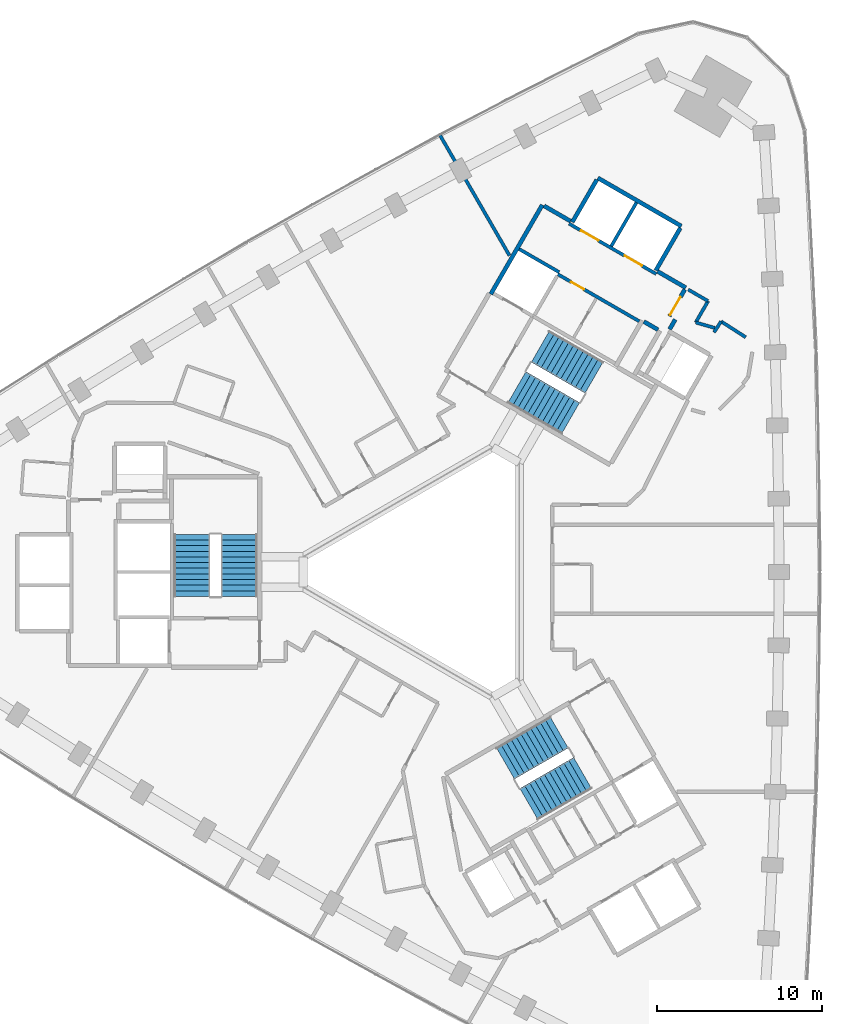
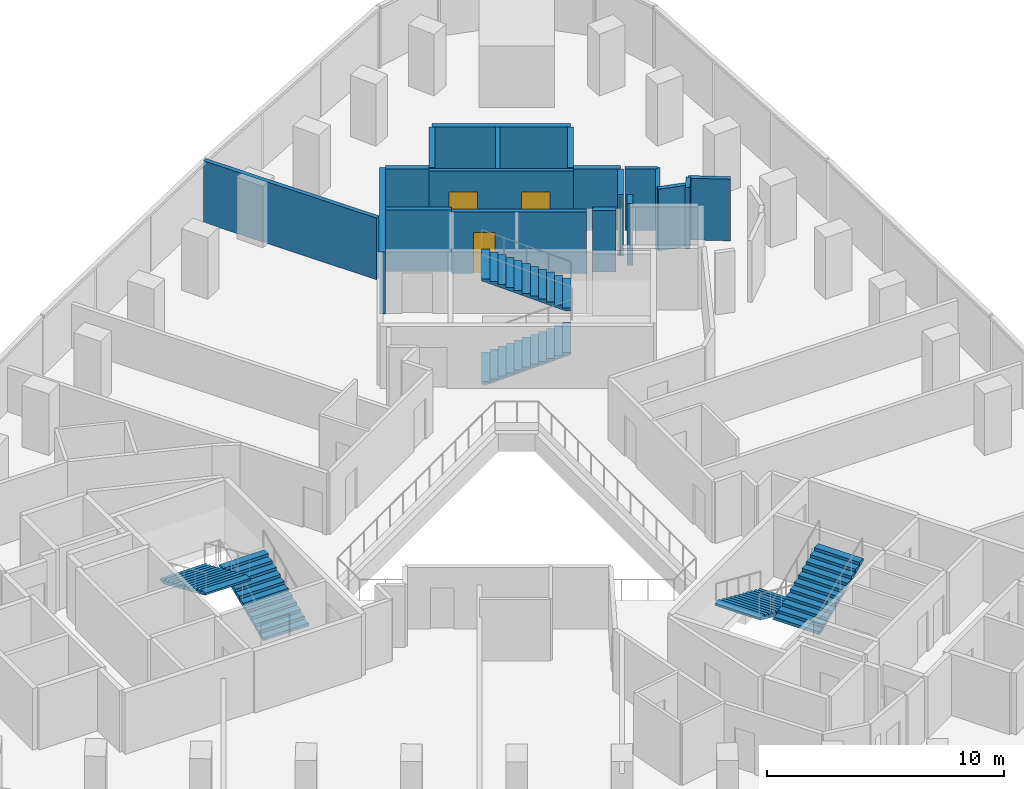
# One storey, part 11 of 12: 19 walls, 6 stair flights, 4 doors, 4 openings, 3 elements without a shape of their own.
"""IFC4 building model written with IfcOpenShell, lengths in metres."""

from ifc_helpers import new_model, si_unit, direction, frame, frame_2d, origin, place, context, subcontext, project, spatial, polyline, rectangle, outline, extrude, material, layer, layer_set, type_object, element, fill, aggregate, save


model = new_model("IFC4")

# Units and contexts
model_context = context("Model", 3, precision=1e-05, world=origin(), true_north=direction((0.0, 1.0)))
body_context = subcontext(model_context, "Body", "Model", "MODEL_VIEW")
ifc_project = project(units=[si_unit("LENGTHUNIT", "METRE"), si_unit("AREAUNIT", "SQUARE_METRE"), si_unit("VOLUMEUNIT", "CUBIC_METRE"), si_unit("PLANEANGLEUNIT", "RADIAN"), si_unit("MASSUNIT", "GRAM", prefix="KILO")], contexts=[model_context])

# Site, building, storey
site_placement = place(None, origin())
site = spatial("IfcSite", under=ifc_project, at=site_placement, CompositionType="ELEMENT")
building_placement = place(site_placement, origin())
building = spatial("IfcBuilding", under=site, at=building_placement, Name="Tamra Quay Hotel Tower", CompositionType="ELEMENT")
storey_placement = place(building_placement, frame((0.0, 0.0, 93.800048828125)))
storey = spatial("IfcBuildingStorey", under=building, at=storey_placement, Name="L22", CompositionType="ELEMENT", Elevation=93.800048828125)

# Wall, openings, doors
ifc_material_1 = material(Name="Concrete M70", Category="concrete")
ifc_layer_1 = layer(ifc_material_1, 0.199951171875)
ifc_layer_set_1 = layer_set([ifc_layer_1], Name="Concrete M70 core wall 200")
wall_type_1 = type_object("IfcWallType", Name="Concrete M70 core wall 200", PredefinedType="SHEAR", material=ifc_layer_set_1)
wall_1_placement = place(storey_placement, frame((13.209716796875, 18.07958984375, 0.0), z_axis=(0.0, 0.0, 1.0), x_axis=(-0.866030299012, 0.499991521122, 0.0)))
wall_1 = element("IfcWall", 1, at=wall_1_placement, inside=storey, type_object=wall_type_1, Name="CW2", PredefinedType="SHEAR", context=body_context, shape_type="SweptSolid", body=[
    extrude(rectangle(XDim=6.10009765625, YDim=0.199951171875, at=frame_2d((3.050048828125, 0.0))), origin(), (0.0, 0.0, 1.0), 3.175048828125),
])
opening_1_placement = place(wall_1_placement, frame((1.0, 0.0, 0.0)))
opening_1 = element("IfcOpeningElement", 2, at=opening_1_placement, cuts=wall_1, Name="Opening LD", PredefinedType="OPENING", context=body_context, shape_type="SweptSolid", body=[
    extrude(rectangle(XDim=1.199951171875, YDim=2.10009765625, at=frame_2d((0.60009765625, 1.050048828125))), frame((0.0, 0.10986328125, 0.0), z_axis=(0.0, -1.0, 0.0), x_axis=(1.0, 0.0, 0.0)), (0.0, 0.0, 1.0), 0.219970703125),
])
opening_2_placement = place(wall_1_placement, frame((4.05029296875, 0.0, 0.0)))
opening_2 = element("IfcOpeningElement", 3, at=opening_2_placement, cuts=wall_1, Name="Opening LD", PredefinedType="OPENING", context=body_context, shape_type="SweptSolid", body=[
    extrude(rectangle(XDim=1.199951171875, YDim=2.10009765625, at=frame_2d((0.60009765625, 1.050048828125))), frame((0.0, 0.10986328125, 0.0), z_axis=(0.0, -1.0, 0.0), x_axis=(1.0, 0.0, 0.0)), (0.0, 0.0, 1.0), 0.219970703125),
])
ifc_material_2 = material(Name="Landing door LD 1200 double door sliding")
door_type_1 = type_object("IfcDoorType", Name="Landing door LD 1200 double door sliding", OperationType="DOUBLE_DOOR_SLIDING", PredefinedType="DOOR", material=ifc_material_2)
door_1_placement = place(opening_1_placement, origin())
door_1 = element("IfcDoor", 4, at=door_1_placement, inside=storey, type_object=door_type_1, Name="LD", OperationType="DOUBLE_DOOR_SLIDING", OverallHeight=2.10009765625, OverallWidth=1.199951171875, PredefinedType="DOOR", context=body_context, shape_type="SweptSolid", body=[
    extrude(rectangle(XDim=1.199951171875, YDim=2.10009765625, at=frame_2d((0.60009765625, 1.050048828125))), frame((0.0, 0.02490234375, 0.0), z_axis=(0.0, -1.0, 0.0), x_axis=(1.0, 0.0, 0.0)), (0.0, 0.0, 1.0), 0.050048828125),
])
fill(opening_1, door_1)
door_2_placement = place(opening_2_placement, origin())
door_2 = element("IfcDoor", 5, at=door_2_placement, inside=storey, type_object=door_type_1, Name="LD", OperationType="DOUBLE_DOOR_SLIDING", OverallHeight=2.10009765625, OverallWidth=1.199951171875, PredefinedType="DOOR", context=body_context, shape_type="SweptSolid", body=[
    extrude(rectangle(XDim=1.199951171875, YDim=2.10009765625, at=frame_2d((0.60009765625, 1.050048828125))), frame((0.0, 0.02490234375, 0.0), z_axis=(0.0, -1.0, 0.0), x_axis=(1.0, 0.0, 0.0)), (0.0, 0.0, 1.0), 0.050048828125),
])
fill(opening_2, door_2)

# Wall, opening, door
wall_2_placement = place(storey_placement, frame((12.18505859375, 15.20703125, 0.0), z_axis=(0.0, 0.0, 1.0), x_axis=(-0.866020080793, 0.500009219579, 0.0)))
wall_2 = element("IfcWall", 6, at=wall_2_placement, inside=storey, type_object=wall_type_1, Name="CW2", PredefinedType="SHEAR", context=body_context, shape_type="SweptSolid", body=[
    extrude(rectangle(XDim=5.69921875, YDim=0.199951171875, at=frame_2d((2.849609375, 0.0))), origin(), (0.0, 0.0, 1.0), 3.175048828125),
])
opening_3_placement = place(wall_2_placement, frame((3.8740234375, 0.0, 0.0)))
opening_3 = element("IfcOpeningElement", 7, at=opening_3_placement, cuts=wall_2, Name="Opening D2", PredefinedType="OPENING", context=body_context, shape_type="SweptSolid", body=[
    extrude(rectangle(XDim=0.89990234375, YDim=2.10009765625, at=frame_2d((0.449951171875, 1.050048828125))), frame((0.0, 0.10986328125, 0.0), z_axis=(0.0, -1.0, 0.0), x_axis=(1.0, 0.0, 0.0)), (0.0, 0.0, 1.0), 0.219970703125),
])
ifc_material_3 = material(Name="Core door D2 900x2100 RH")
door_type_2 = type_object("IfcDoorType", Name="Core door D2 900x2100 RH", OperationType="NOTDEFINED", PredefinedType="DOOR", material=ifc_material_3)
door_3_placement = place(opening_3_placement, origin())
door_3 = element("IfcDoor", 8, at=door_3_placement, inside=storey, type_object=door_type_2, Name="D2", OperationType="SINGLE_SWING_RIGHT", OverallHeight=2.10009765625, OverallWidth=0.89990234375, PredefinedType="DOOR", context=body_context, shape_type="SweptSolid", body=[
    extrude(rectangle(XDim=0.89990234375, YDim=2.10009765625, at=frame_2d((0.449951171875, 1.050048828125))), frame((0.0, 0.02490234375, 0.0), z_axis=(0.0, -1.0, 0.0), x_axis=(1.0, 0.0, 0.0)), (0.0, 0.0, 1.0), 0.050048828125),
])
fill(opening_3, door_3)

# Walls
wall_3_placement = place(storey_placement, frame((10.48876953125, 19.76708984375, 0.0), z_axis=(0.0, 0.0, 1.0), x_axis=(0.499946628782, 0.866056215479, 0.0)))
element("IfcWall", 9, at=wall_3_placement, inside=storey, type_object=wall_type_1, Name="CW2", PredefinedType="SHEAR", context=body_context, shape_type="SweptSolid", body=[
    extrude(rectangle(XDim=3.048095703125, YDim=0.199951171875, at=frame_2d((1.52392578125, 0.0))), origin(), (0.0, 0.0, 1.0), 3.175048828125),
])
wall_4_placement = place(storey_placement, frame((4.900634765625, 19.5859375, 0.0), z_axis=(0.0, 0.0, 1.0), x_axis=(0.866022890907, -0.500004352405, 0.0)))
element("IfcWall", 10, at=wall_4_placement, inside=storey, type_object=wall_type_1, Name="CW2", PredefinedType="SHEAR", context=body_context, shape_type="SweptSolid", body=[
    extrude(rectangle(XDim=2.798828125, YDim=0.199951171875, at=frame_2d((1.3994140625, 0.0))), origin(), (0.0, 0.0, 1.0), 3.175048828125),
])
ifc_layer_2 = layer(ifc_material_1, 0.25)
ifc_layer_set_2 = layer_set([ifc_layer_2], Name="Concrete M70 core wall 250")
wall_type_2 = type_object("IfcWallType", Name="Concrete M70 core wall 250", PredefinedType="SHEAR", material=ifc_layer_set_2)
wall_5_placement = place(storey_placement, frame((3.178955078125, 16.856201171875, 0.0), z_axis=(0.0, 0.0, 1.0), x_axis=(0.500004234368, 0.866022959057, 0.0)))
element("IfcWall", 11, at=wall_5_placement, inside=storey, type_object=wall_type_2, Name="CW1", PredefinedType="SHEAR", context=body_context, shape_type="SweptSolid", body=[
    extrude(rectangle(XDim=6.25, YDim=0.25, at=frame_2d((3.125, 0.0))), origin(), (0.0, 0.0, 1.0), 3.175048828125),
])
wall_6_placement = place(storey_placement, frame((9.672607421875, 23.9033203125, 0.0), z_axis=(0.0, 0.0, 1.0), x_axis=(0.86603616409, -0.499981362141, 0.0)))
element("IfcWall", 12, at=wall_6_placement, inside=storey, type_object=wall_type_2, Name="CW1", PredefinedType="SHEAR", context=body_context, shape_type="SweptSolid", body=[
    extrude(rectangle(XDim=5.849853515625, YDim=0.25, at=frame_2d((2.9248046875, 0.0))), origin(), (0.0, 0.0, 1.0), 3.175048828125),
])
for number, where, z_axis, x_axis, name in (
    (13, (8.12255859375, 21.21875, 0.0), (0.0, 0.0, 1.0), (0.499987686533, 0.866032512851, 0.0), "CW1"),
    (14, (14.67626953125, 20.869873046875, 0.0), (0.0, 0.0, 1.0), (-0.499987686533, -0.866032512851, 0.0), "CW1"),
):
    element("IfcWall", number, at=place(storey_placement, frame(where, z_axis=z_axis, x_axis=x_axis)), inside=storey, type_object=wall_type_2, Name=name, PredefinedType="SHEAR", context=body_context, shape_type="SweptSolid", body=[
        extrude(rectangle(XDim=2.974609375, YDim=0.25, at=frame_2d((1.4873046875, 0.0))), origin(), (0.0, 0.0, 1.0), 3.175048828125),
    ])
wall_7_placement = place(storey_placement, frame((13.29736328125, 18.23095703125, 0.0), z_axis=(0.0, 0.0, 1.0), x_axis=(0.866043531843, -0.499968599967, 0.0)))
element("IfcWall", 15, at=wall_7_placement, inside=storey, type_object=wall_type_2, Name="CW1", PredefinedType="SHEAR", context=body_context, shape_type="SweptSolid", body=[
    extrude(rectangle(XDim=1.974853515625, YDim=0.25, at=frame_2d((0.9873046875, 0.0))), origin(), (0.0, 0.0, 1.0), 3.175048828125),
])
wall_8_placement = place(storey_placement, frame((6.41259765625, 22.2060546875, 0.0), z_axis=(0.0, 0.0, 1.0), x_axis=(0.866016279763, -0.500015802937, 0.0)))
element("IfcWall", 16, at=wall_8_placement, inside=storey, type_object=wall_type_2, Name="CW1", PredefinedType="SHEAR", context=body_context, shape_type="SweptSolid", body=[
    extrude(rectangle(XDim=1.84912109375, YDim=0.25, at=frame_2d((0.924560546875, 0.0))), origin(), (0.0, 0.0, 1.0), 3.175048828125),
])

# Wall, opening, door
wall_9_placement = place(storey_placement, frame((14.94482421875, 17.13525390625, 0.0), z_axis=(0.0, 0.0, 1.0), x_axis=(-0.499983108224, -0.866035156036, 0.0)))
wall_9 = element("IfcWall", 17, at=wall_9_placement, inside=storey, type_object=wall_type_2, Name="CW1", PredefinedType="SHEAR", context=body_context, shape_type="SweptSolid", body=[
    extrude(rectangle(XDim=1.86474609375, YDim=0.25, at=frame_2d((0.932373046875, 0.0))), origin(), (0.0, 0.0, 1.0), 3.175048828125),
])
opening_4_placement = place(wall_9_placement, frame((0.53466796875, 0.0, 0.0)))
opening_4 = element("IfcOpeningElement", 18, at=opening_4_placement, cuts=wall_9, Name="Opening FD3", PredefinedType="OPENING", context=body_context, shape_type="SweptSolid", body=[
    extrude(rectangle(XDim=1.25, YDim=2.10009765625, at=frame_2d((0.625, 1.050048828125))), frame((0.0, 0.135009765625, 0.0), z_axis=(0.0, -1.0, 0.0), x_axis=(1.0, 0.0, 0.0)), (0.0, 0.0, 1.0), 0.27001953125),
])
ifc_material_4 = material(Name="Core door FD3 1250x2100 LH")
door_type_3 = type_object("IfcDoorType", Name="Core door FD3 1250x2100 LH", OperationType="NOTDEFINED", PredefinedType="DOOR", material=ifc_material_4)
door_4_placement = place(opening_4_placement, origin())
door_4 = element("IfcDoor", 19, at=door_4_placement, inside=storey, type_object=door_type_3, Name="FD3", OperationType="SINGLE_SWING_LEFT", OverallHeight=2.10009765625, OverallWidth=1.25, PredefinedType="DOOR", context=body_context, shape_type="SweptSolid", body=[
    extrude(rectangle(XDim=1.25, YDim=2.10009765625, at=frame_2d((0.625, 1.050048828125))), frame((0.0, 0.02490234375, 0.0), z_axis=(0.0, -1.0, 0.0), x_axis=(1.0, 0.0, 0.0)), (0.0, 0.0, 1.0), 0.050048828125),
])
fill(opening_4, door_4)

# Walls
wall_10_placement = place(storey_placement, frame((13.322021484375, 14.695068359375, 0.0), z_axis=(0.0, 0.0, 1.0), x_axis=(-0.866017078145, 0.500014420154, 0.0)))
element("IfcWall", 20, at=wall_10_placement, inside=storey, type_object=wall_type_2, Name="CW1", PredefinedType="SHEAR", context=body_context, shape_type="SweptSolid", body=[
    extrude(rectangle(XDim=0.9892578125, YDim=0.25, at=frame_2d((0.49462890625, 0.0))), origin(), (0.0, 0.0, 1.0), 3.175048828125),
])
wall_11_placement = place(storey_placement, frame((14.36767578125, 15.3154296875, 0.0), z_axis=(0.0, 0.0, 1.0), x_axis=(-0.499897359611, -0.866084655132, 0.0)))
element("IfcWall", 21, at=wall_11_placement, inside=storey, type_object=wall_type_2, Name="CW1", PredefinedType="SHEAR", context=body_context, shape_type="SweptSolid", body=[
    extrude(rectangle(XDim=0.684814453125, YDim=0.25, at=frame_2d((0.34228515625, 0.0))), origin(), (0.0, 0.0, 1.0), 3.175048828125),
])
ifc_material_5 = material(Name="Partition corridor wall")
ifc_layer_3 = layer(ifc_material_5, 0.199951171875)
ifc_layer_set_3 = layer_set([ifc_layer_3], Name="Partition corridor wall")
wall_type_3 = type_object("IfcWallType", Name="Partition corridor wall", PredefinedType="PARTITIONING", material=ifc_layer_set_3)
wall_12_placement = place(storey_placement, frame((15.155517578125, 17.130126953125, 0.0), z_axis=(0.0, 0.0, 1.0), x_axis=(0.865755062894, -0.500467952093, 0.0)))
element("IfcWall", 22, at=wall_12_placement, inside=storey, type_object=wall_type_3, Name="W-C", PredefinedType="PARTITIONING", context=body_context, shape_type="SweptSolid", body=[
    extrude(rectangle(XDim=1.388916015625, YDim=0.199951171875, at=frame_2d((0.6943359375, 0.0))), origin(), (0.0, 0.0, 1.0), 3.175048828125),
])
wall_13_placement = place(storey_placement, frame((15.60888671875, 15.135986328125, 0.0), z_axis=(0.0, 0.0, 1.0), x_axis=(0.499501622561, 0.866312950993, 0.0)))
element("IfcWall", 23, at=wall_13_placement, inside=storey, type_object=wall_type_3, Name="W-C", PredefinedType="PARTITIONING", context=body_context, shape_type="SweptSolid", body=[
    extrude(rectangle(XDim=1.49951171875, YDim=0.199951171875, at=frame_2d((0.749755859375, 0.0))), origin(), (0.0, 0.0, 1.0), 3.175048828125),
])
wall_14_placement = place(storey_placement, frame((15.60888671875, 15.135986328125, 0.0), z_axis=(0.0, 0.0, 1.0), x_axis=(0.961600740063, -0.27445221207, 0.0)))
element("IfcWall", 24, at=wall_14_placement, inside=storey, type_object=wall_type_3, Name="W-C", PredefinedType="PARTITIONING", context=body_context, shape_type="SweptSolid", body=[
    extrude(rectangle(XDim=1.19921875, YDim=0.199951171875, at=frame_2d((0.599609375, 0.0))), origin(), (0.0, 0.0, 1.0), 3.175048828125),
])
wall_15_placement = place(storey_placement, frame((16.718017578125, 14.534912109375, 0.0), z_axis=(0.0, 0.0, 1.0), x_axis=(0.541473887989, 0.840717567692, 0.0)))
element("IfcWall", 25, at=wall_15_placement, inside=storey, type_object=wall_type_3, Name="W-C", PredefinedType="PARTITIONING", context=body_context, shape_type="SweptSolid", body=[
    extrude(rectangle(XDim=0.792236328125, YDim=0.199951171875, at=frame_2d((0.39599609375, 0.0))), origin(), (0.0, 0.0, 1.0), 3.175048828125),
])
wall_16_placement = place(storey_placement, frame((17.14697265625, 15.200927734375, 0.0), z_axis=(0.0, 0.0, 1.0), x_axis=(0.840821179535, -0.541312981596, 0.0)))
element("IfcWall", 26, at=wall_16_placement, inside=storey, type_object=wall_type_3, Name="W-C", PredefinedType="PARTITIONING", context=body_context, shape_type="SweptSolid", body=[
    extrude(rectangle(XDim=1.777099609375, YDim=0.199951171875, at=frame_2d((0.888671875, 0.0))), origin(), (0.0, 0.0, 1.0), 3.175048828125),
])
ifc_material_6 = material(Name="Partition party wall")
ifc_layer_4 = layer(ifc_material_6, 0.199951171875)
ifc_layer_set_4 = layer_set([ifc_layer_4], Name="Partition party wall")
wall_type_4 = type_object("IfcWallType", Name="Partition party wall", PredefinedType="PARTITIONING", material=ifc_layer_set_4)
wall_17_placement = place(storey_placement, frame((0.089599609375, 26.508544921875, 0.0), z_axis=(0.0, 0.0, 1.0), x_axis=(0.5000084477, -0.866020526448, 0.0)))
element("IfcWall", 27, at=wall_17_placement, inside=storey, type_object=wall_type_4, Name="W-P", PredefinedType="PARTITIONING", context=body_context, shape_type="SweptSolid", body=[
    extrude(rectangle(XDim=8.448486328125, YDim=0.199951171875, at=frame_2d((4.22412109375, 0.0))), origin(), (0.0, 0.0, 1.0), 3.175048828125),
])

# Stair, stair flights
ifc_material_7 = material(Name="Exit stair 2200 24 risers 150.0 going 342")
stair_type = type_object("IfcStairType", Name="Exit stair 2200 24 risers 150.0 going 342", PredefinedType="HALF_TURN_STAIR", material=ifc_material_7)
stair_1_placement = place(storey_placement, origin())
stair_1 = element("IfcStair", 28, at=stair_1_placement, inside=storey, type_object=stair_type, Name="L22 Exit stair ST3", PredefinedType="HALF_TURN_STAIR")
ifc_material_8 = material(Name="Exit stair flight 2200 12 risers 150.0")
stair_flight_type = type_object("IfcStairFlightType", Name="Exit stair flight 2200 12 risers 150.0", PredefinedType="STRAIGHT", material=ifc_material_8)
stair_flight_1_placement = place(storey_placement, frame((-12.082275390625, -1.47998046875, 0.0), z_axis=(0.0, 0.0, 1.0), x_axis=(0.0, 1.0, 0.0)))
stair_flight_1 = element("IfcStairFlight", 29, at=stair_flight_1_placement, type_object=stair_flight_type, Name="ST3 flight 1", NumberOfRisers=12, NumberOfTreads=11, PredefinedType="STRAIGHT", RiserHeight=0.15, TreadLength=0.342, context=body_context, shape_type="SweptSolid", body=[
    extrude(outline(polyline([(0.0, 0.0), (0.0, 0.14990234375), (0.342041015625, 0.14990234375), (0.342041015625, 0.300048828125), (0.68408203125, 0.300048828125), (0.68408203125, 0.449951171875), (1.02587890625, 0.449951171875), (1.02587890625, 0.60009765625), (1.367919921875, 0.60009765625), (1.367919921875, 0.75), (1.7099609375, 0.75), (1.7099609375, 0.89990234375), (2.052001953125, 0.89990234375), (2.052001953125, 1.050048828125), (2.39404296875, 1.050048828125), (2.39404296875, 1.199951171875), (2.736083984375, 1.199951171875), (2.736083984375, 1.35009765625), (3.077880859375, 1.35009765625), (3.077880859375, 1.5), (3.419921875, 1.5), (3.419921875, 1.64990234375), (3.761962890625, 1.64990234375), (3.761962890625, 1.800048828125), (3.761962890625, 1.540771484375), (0.249267578125, 0.0), (0.0, 0.0)])), frame((0.0, 1.10009765625, 0.0), z_axis=(0.0, -1.0, 0.0), x_axis=(1.0, 0.0, 0.0)), (0.0, 0.0, 1.0), 2.199951171875),
])
stair_flight_2_placement = place(storey_placement, frame((-14.94140625, 2.281982421875, 1.800048828125), z_axis=(0.0, 0.0, 1.0), x_axis=(0.0, -1.0, 0.0)))
stair_flight_2 = element("IfcStairFlight", 30, at=stair_flight_2_placement, type_object=stair_flight_type, Name="ST3 flight 2", NumberOfRisers=12, NumberOfTreads=11, PredefinedType="STRAIGHT", RiserHeight=0.15, TreadLength=0.342, context=body_context, shape_type="SweptSolid", body=[
    extrude(outline(polyline([(0.0, 0.0), (0.0, 0.14990234375), (0.342041015625, 0.14990234375), (0.342041015625, 0.300048828125), (0.68408203125, 0.300048828125), (0.68408203125, 0.449951171875), (1.02587890625, 0.449951171875), (1.02587890625, 0.60009765625), (1.367919921875, 0.60009765625), (1.367919921875, 0.75), (1.7099609375, 0.75), (1.7099609375, 0.89990234375), (2.052001953125, 0.89990234375), (2.052001953125, 1.050048828125), (2.39404296875, 1.050048828125), (2.39404296875, 1.199951171875), (2.736083984375, 1.199951171875), (2.736083984375, 1.35009765625), (3.077880859375, 1.35009765625), (3.077880859375, 1.5), (3.419921875, 1.5), (3.419921875, 1.64990234375), (3.761962890625, 1.64990234375), (3.761962890625, 1.800048828125), (3.761962890625, 1.540771484375), (0.249267578125, 0.0), (0.0, 0.0)])), frame((0.0, 1.10009765625, 0.0), z_axis=(0.0, -1.0, 0.0), x_axis=(1.0, 0.0, 0.0)), (0.0, 0.0, 1.0), 2.199951171875),
])
aggregate(stair_1, [stair_flight_1, stair_flight_2])

stair_2_placement = place(storey_placement, origin())
stair_2 = element("IfcStair", 31, at=stair_2_placement, inside=storey, type_object=stair_type, Name="L22 Exit stair ST1", PredefinedType="HALF_TURN_STAIR")
stair_flight_3_placement = place(storey_placement, frame((4.75927734375, 11.20361328125, 0.0), z_axis=(0.0, 0.0, 1.0), x_axis=(0.866025403784, -0.5, 0.0)))
stair_flight_3 = element("IfcStairFlight", 32, at=stair_flight_3_placement, type_object=stair_flight_type, Name="ST1 flight 1", NumberOfRisers=12, NumberOfTreads=11, PredefinedType="STRAIGHT", RiserHeight=0.15, TreadLength=0.342, context=body_context, shape_type="SweptSolid", body=[
    extrude(outline(polyline([(0.0, 0.0), (0.0, 0.14990234375), (0.342041015625, 0.14990234375), (0.342041015625, 0.300048828125), (0.68408203125, 0.300048828125), (0.68408203125, 0.449951171875), (1.02587890625, 0.449951171875), (1.02587890625, 0.60009765625), (1.367919921875, 0.60009765625), (1.367919921875, 0.75), (1.7099609375, 0.75), (1.7099609375, 0.89990234375), (2.052001953125, 0.89990234375), (2.052001953125, 1.050048828125), (2.39404296875, 1.050048828125), (2.39404296875, 1.199951171875), (2.736083984375, 1.199951171875), (2.736083984375, 1.35009765625), (3.077880859375, 1.35009765625), (3.077880859375, 1.5), (3.419921875, 1.5), (3.419921875, 1.64990234375), (3.761962890625, 1.64990234375), (3.761962890625, 1.800048828125), (3.761962890625, 1.540771484375), (0.249267578125, 0.0), (0.0, 0.0)])), frame((0.0, 1.10009765625, 0.0), z_axis=(0.0, -1.0, 0.0), x_axis=(1.0, 0.0, 0.0)), (0.0, 0.0, 1.0), 2.199951171875),
])
stair_flight_4_placement = place(storey_placement, frame((9.44677734375, 11.798583984375, 1.800048828125), z_axis=(0.0, 0.0, 1.0), x_axis=(-0.866025403784, 0.5, 0.0)))
stair_flight_4 = element("IfcStairFlight", 33, at=stair_flight_4_placement, type_object=stair_flight_type, Name="ST1 flight 2", NumberOfRisers=12, NumberOfTreads=11, PredefinedType="STRAIGHT", RiserHeight=0.15, TreadLength=0.342, context=body_context, shape_type="SweptSolid", body=[
    extrude(outline(polyline([(0.0, 0.0), (0.0, 0.14990234375), (0.342041015625, 0.14990234375), (0.342041015625, 0.300048828125), (0.68408203125, 0.300048828125), (0.68408203125, 0.449951171875), (1.02587890625, 0.449951171875), (1.02587890625, 0.60009765625), (1.367919921875, 0.60009765625), (1.367919921875, 0.75), (1.7099609375, 0.75), (1.7099609375, 0.89990234375), (2.052001953125, 0.89990234375), (2.052001953125, 1.050048828125), (2.39404296875, 1.050048828125), (2.39404296875, 1.199951171875), (2.736083984375, 1.199951171875), (2.736083984375, 1.35009765625), (3.077880859375, 1.35009765625), (3.077880859375, 1.5), (3.419921875, 1.5), (3.419921875, 1.64990234375), (3.761962890625, 1.64990234375), (3.761962890625, 1.800048828125), (3.761962890625, 1.540771484375), (0.249267578125, 0.0), (0.0, 0.0)])), frame((0.0, 1.10009765625, 0.0), z_axis=(0.0, -1.0, 0.0), x_axis=(1.0, 0.0, 0.0)), (0.0, 0.0, 1.0), 2.199951171875),
])
aggregate(stair_2, [stair_flight_3, stair_flight_4])

stair_3_placement = place(storey_placement, origin())
stair_3 = element("IfcStair", 34, at=stair_3_placement, inside=storey, type_object=stair_type, Name="L22 Exit stair ST2", PredefinedType="HALF_TURN_STAIR")
stair_flight_5_placement = place(storey_placement, frame((7.322998046875, -9.7236328125, 0.0), z_axis=(0.0, 0.0, 1.0), x_axis=(-0.866025403784, -0.5, 0.0)))
stair_flight_5 = element("IfcStairFlight", 35, at=stair_flight_5_placement, type_object=stair_flight_type, Name="ST2 flight 1", NumberOfRisers=12, NumberOfTreads=11, PredefinedType="STRAIGHT", RiserHeight=0.15, TreadLength=0.342, context=body_context, shape_type="SweptSolid", body=[
    extrude(outline(polyline([(0.0, 0.0), (0.0, 0.14990234375), (0.342041015625, 0.14990234375), (0.342041015625, 0.300048828125), (0.68408203125, 0.300048828125), (0.68408203125, 0.449951171875), (1.02587890625, 0.449951171875), (1.02587890625, 0.60009765625), (1.367919921875, 0.60009765625), (1.367919921875, 0.75), (1.7099609375, 0.75), (1.7099609375, 0.89990234375), (2.052001953125, 0.89990234375), (2.052001953125, 1.050048828125), (2.39404296875, 1.050048828125), (2.39404296875, 1.199951171875), (2.736083984375, 1.199951171875), (2.736083984375, 1.35009765625), (3.077880859375, 1.35009765625), (3.077880859375, 1.5), (3.419921875, 1.5), (3.419921875, 1.64990234375), (3.761962890625, 1.64990234375), (3.761962890625, 1.800048828125), (3.761962890625, 1.540771484375), (0.249267578125, 0.0), (0.0, 0.0)])), frame((0.0, 1.10009765625, 0.0), z_axis=(0.0, -1.0, 0.0), x_axis=(1.0, 0.0, 0.0)), (0.0, 0.0, 1.0), 2.199951171875),
])
stair_flight_6_placement = place(storey_placement, frame((5.494384765625, -14.08056640625, 1.800048828125), z_axis=(0.0, 0.0, 1.0), x_axis=(0.866025403784, 0.5, 0.0)))
stair_flight_6 = element("IfcStairFlight", 36, at=stair_flight_6_placement, type_object=stair_flight_type, Name="ST2 flight 2", NumberOfRisers=12, NumberOfTreads=11, PredefinedType="STRAIGHT", RiserHeight=0.15, TreadLength=0.342, context=body_context, shape_type="SweptSolid", body=[
    extrude(outline(polyline([(0.0, 0.0), (0.0, 0.14990234375), (0.342041015625, 0.14990234375), (0.342041015625, 0.300048828125), (0.68408203125, 0.300048828125), (0.68408203125, 0.449951171875), (1.02587890625, 0.449951171875), (1.02587890625, 0.60009765625), (1.367919921875, 0.60009765625), (1.367919921875, 0.75), (1.7099609375, 0.75), (1.7099609375, 0.89990234375), (2.052001953125, 0.89990234375), (2.052001953125, 1.050048828125), (2.39404296875, 1.050048828125), (2.39404296875, 1.199951171875), (2.736083984375, 1.199951171875), (2.736083984375, 1.35009765625), (3.077880859375, 1.35009765625), (3.077880859375, 1.5), (3.419921875, 1.5), (3.419921875, 1.64990234375), (3.761962890625, 1.64990234375), (3.761962890625, 1.800048828125), (3.761962890625, 1.540771484375), (0.249267578125, 0.0), (0.0, 0.0)])), frame((0.0, 1.10009765625, 0.0), z_axis=(0.0, -1.0, 0.0), x_axis=(1.0, 0.0, 0.0)), (0.0, 0.0, 1.0), 2.199951171875),
])
aggregate(stair_3, [stair_flight_5, stair_flight_6])

save(model, "model.ifc")
